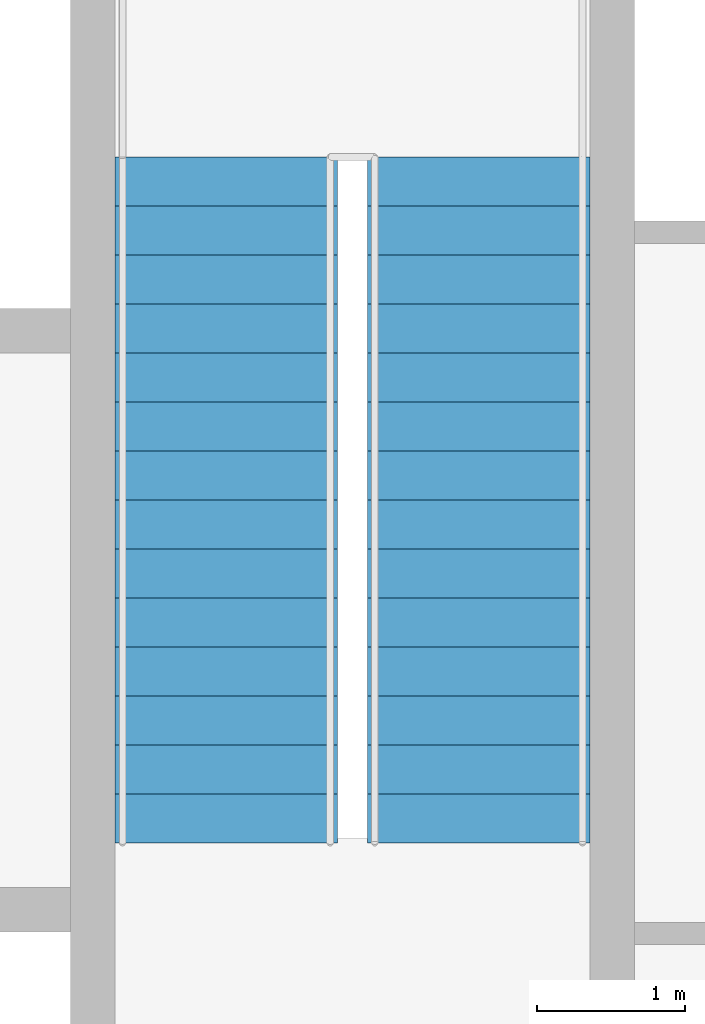
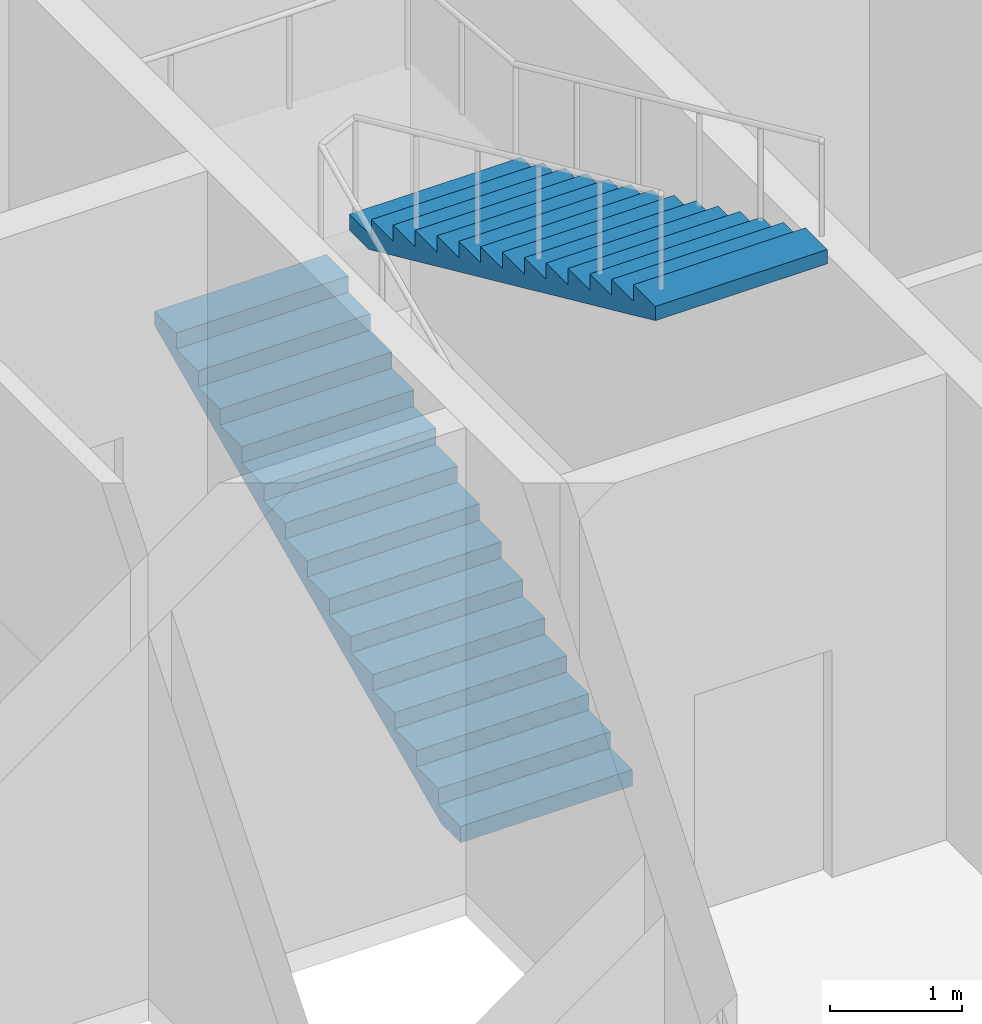
# One storey, part 10 of 11: 2 stair flights, 1 element without a shape of its own.
"""IFC4 building model written with IfcOpenShell, lengths in metres."""

from ifc_helpers import new_model, si_unit, direction, frame, origin, place, context, subcontext, project, spatial, polygons, material, type_object, element, aggregate, save


model = new_model("IFC4")

# Units and contexts
model_context = context("Model", 3, precision=1e-05, world=origin(), true_north=direction((0.0, 1.0)))
body_context = subcontext(model_context, "Body", "Model", "MODEL_VIEW")
ifc_project = project(units=[si_unit("LENGTHUNIT", "METRE"), si_unit("AREAUNIT", "SQUARE_METRE"), si_unit("VOLUMEUNIT", "CUBIC_METRE"), si_unit("PLANEANGLEUNIT", "RADIAN"), si_unit("MASSUNIT", "GRAM", prefix="KILO")], contexts=[model_context])

# Site, building, storey
site_placement = place(None, origin())
site = spatial("IfcSite", under=ifc_project, at=site_placement, CompositionType="ELEMENT")
building_placement = place(site_placement, origin())
building = spatial("IfcBuilding", under=site, at=building_placement, Name="Njiva Tower", CompositionType="ELEMENT")
storey_placement = place(building_placement, frame((0.0, 0.0, 42.3)))
storey = spatial("IfcBuildingStorey", under=building, at=storey_placement, Name="L08", CompositionType="ELEMENT", Elevation=42.3)

# Stair, stair flights
ifc_material = material(Name="Concrete C40/50", Category="concrete")
stair_type = type_object("IfcStairType", Name="ST4 Exit stair 1500", PredefinedType="HALF_TURN_STAIR", material=ifc_material)
stair_placement = place(storey_placement, origin())
stair = element("IfcStair", 1, at=stair_placement, inside=storey, type_object=stair_type, Name="Stair B", PredefinedType="HALF_TURN_STAIR")
stair_flight_type = type_object("IfcStairFlightType", Name="FL4 Stair flight 1500", PredefinedType="STRAIGHT", material=ifc_material)
stair_flight_1_placement = place(storey_placement, frame((11.75, 11.1, 0.0), z_axis=(0.0, 0.0, 1.0), x_axis=(0.0, 1.0, 0.0)))
stair_flight_1 = element("IfcStairFlight", 2, at=stair_flight_1_placement, type_object=stair_flight_type, Name="ST-B flight 1", NumberOfRisers=15, NumberOfTreads=14, PredefinedType="STRAIGHT", RiserHeight=0.15, TreadLength=0.33, context=body_context, shape_type="Tessellation", body=[
    polygons([(0.0, 0.75, 0.0), (0.0, 0.375, 0.0), (0.0, 0.0, 0.0), (0.0, -0.375, 0.0), (0.0, -0.75, 0.0), (0.0, 0.75, 0.15), (0.0, 0.375, 0.15), (0.0, 0.0, 0.15), (0.0, -0.375, 0.15), (0.0, -0.75, 0.15), (0.33, 0.75, 0.15), (0.33, 0.375, 0.15), (0.33, 0.0, 0.15), (0.33, -0.375, 0.15), (0.33, -0.75, 0.15), (0.33, 0.75, 0.3), (0.33, 0.375, 0.3), (0.33, 0.0, 0.3), (0.33, -0.375, 0.3), (0.33, -0.75, 0.3), (0.66, 0.75, 0.3), (0.66, 0.375, 0.3), (0.66, 0.0, 0.3), (0.66, -0.375, 0.3), (0.66, -0.75, 0.3), (0.66, 0.75, 0.45), (0.66, 0.375, 0.45), (0.66, 0.0, 0.45), (0.66, -0.375, 0.45), (0.66, -0.75, 0.45), (0.99, 0.75, 0.45), (0.99, 0.375, 0.45), (0.99, 0.0, 0.45), (0.99, -0.375, 0.45), (0.99, -0.75, 0.45), (0.99, 0.75, 0.6), (0.99, 0.375, 0.6), (0.99, 0.0, 0.6), (0.99, -0.375, 0.6), (0.99, -0.75, 0.6), (1.32, 0.75, 0.6), (1.32, 0.375, 0.6), (1.32, 0.0, 0.6), (1.32, -0.375, 0.6), (1.32, -0.75, 0.6), (1.32, 0.75, 0.75), (1.32, 0.375, 0.75), (1.32, 0.0, 0.75), (1.32, -0.375, 0.75), (1.32, -0.75, 0.75), (1.65, 0.75, 0.75), (1.65, 0.375, 0.75), (1.65, 0.0, 0.75), (1.65, -0.375, 0.75), (1.65, -0.75, 0.75), (1.65, 0.75, 0.9), (1.65, 0.375, 0.9), (1.65, 0.0, 0.9), (1.65, -0.375, 0.9), (1.65, -0.75, 0.9), (1.98, 0.75, 0.9), (1.98, 0.375, 0.9), (1.98, 0.0, 0.9), (1.98, -0.375, 0.9), (1.98, -0.75, 0.9), (1.98, 0.75, 1.05), (1.98, 0.375, 1.05), (1.98, 0.0, 1.05), (1.98, -0.375, 1.05), (1.98, -0.75, 1.05), (2.31, 0.75, 1.05), (2.31, 0.375, 1.05), (2.31, 0.0, 1.05), (2.31, -0.375, 1.05), (2.31, -0.75, 1.05), (2.31, 0.75, 1.2), (2.31, 0.375, 1.2), (2.31, 0.0, 1.2), (2.31, -0.375, 1.2), (2.31, -0.75, 1.2), (2.64, 0.75, 1.2), (2.64, 0.375, 1.2), (2.64, 0.0, 1.2), (2.64, -0.375, 1.2), (2.64, -0.75, 1.2), (2.64, 0.75, 1.35), (2.64, 0.375, 1.35), (2.64, 0.0, 1.35), (2.64, -0.375, 1.35), (2.64, -0.75, 1.35), (2.97, 0.75, 1.35), (2.97, 0.375, 1.35), (2.97, 0.0, 1.35), (2.97, -0.375, 1.35), (2.97, -0.75, 1.35), (2.97, 0.75, 1.5), (2.97, 0.375, 1.5), (2.97, 0.0, 1.5), (2.97, -0.375, 1.5), (2.97, -0.75, 1.5), (3.3, 0.75, 1.5), (3.3, 0.375, 1.5), (3.3, 0.0, 1.5), (3.3, -0.375, 1.5), (3.3, -0.75, 1.5), (3.3, 0.75, 1.65), (3.3, 0.375, 1.65), (3.3, 0.0, 1.65), (3.3, -0.375, 1.65), (3.3, -0.75, 1.65), (3.63, 0.75, 1.65), (3.63, 0.375, 1.65), (3.63, 0.0, 1.65), (3.63, -0.375, 1.65), (3.63, -0.75, 1.65), (3.63, 0.75, 1.8), (3.63, 0.375, 1.8), (3.63, 0.0, 1.8), (3.63, -0.375, 1.8), (3.63, -0.75, 1.8), (3.96, 0.75, 1.8), (3.96, 0.375, 1.8), (3.96, 0.0, 1.8), (3.96, -0.375, 1.8), (3.96, -0.75, 1.8), (3.96, 0.75, 1.95), (3.96, 0.375, 1.95), (3.96, 0.0, 1.95), (3.96, -0.375, 1.95), (3.96, -0.75, 1.95), (4.29, 0.75, 1.95), (4.29, 0.375, 1.95), (4.29, 0.0, 1.95), (4.29, -0.375, 1.95), (4.29, -0.75, 1.95), (4.29, 0.75, 2.1), (4.29, 0.375, 2.1), (4.29, 0.0, 2.1), (4.29, -0.375, 2.1), (4.29, -0.75, 2.1), (4.62, 0.75, 2.1), (4.62, 0.375, 2.1), (4.62, 0.0, 2.1), (4.62, -0.375, 2.1), (4.62, -0.75, 2.1), (4.62, 0.75, 1.9682), (4.62, 0.375, 1.9682), (4.62, 0.0, 1.9682), (4.62, -0.375, 1.9682), (4.62, -0.75, 1.9682), (0.29, 0.75, 0.0), (0.29, 0.375, 0.0), (0.29, 0.0, 0.0), (0.29, -0.375, 0.0), (0.29, -0.75, 0.0)], [[[1, 6, 11, 16, 21, 26, 31, 36, 41, 46, 51, 56, 61, 66, 71, 76, 81, 86, 91, 96, 101, 106, 111, 116, 121, 126, 131, 136, 141, 146, 151]], [[155, 150, 145, 140, 135, 130, 125, 120, 115, 110, 105, 100, 95, 90, 85, 80, 75, 70, 65, 60, 55, 50, 45, 40, 35, 30, 25, 20, 15, 10, 5]], [[6, 1, 2, 7]], [[7, 2, 3, 8]], [[8, 3, 4, 9]], [[9, 4, 5, 10]], [[11, 6, 7, 12]], [[12, 7, 8, 13]], [[13, 8, 9, 14]], [[14, 9, 10, 15]], [[16, 11, 12, 17]], [[17, 12, 13, 18]], [[18, 13, 14, 19]], [[19, 14, 15, 20]], [[21, 16, 17, 22]], [[22, 17, 18, 23]], [[23, 18, 19, 24]], [[24, 19, 20, 25]], [[26, 21, 22, 27]], [[27, 22, 23, 28]], [[28, 23, 24, 29]], [[29, 24, 25, 30]], [[31, 26, 27, 32]], [[32, 27, 28, 33]], [[33, 28, 29, 34]], [[34, 29, 30, 35]], [[36, 31, 32, 37]], [[37, 32, 33, 38]], [[38, 33, 34, 39]], [[39, 34, 35, 40]], [[41, 36, 37, 42]], [[42, 37, 38, 43]], [[43, 38, 39, 44]], [[44, 39, 40, 45]], [[46, 41, 42, 47]], [[47, 42, 43, 48]], [[48, 43, 44, 49]], [[49, 44, 45, 50]], [[51, 46, 47, 52]], [[52, 47, 48, 53]], [[53, 48, 49, 54]], [[54, 49, 50, 55]], [[56, 51, 52, 57]], [[57, 52, 53, 58]], [[58, 53, 54, 59]], [[59, 54, 55, 60]], [[61, 56, 57, 62]], [[62, 57, 58, 63]], [[63, 58, 59, 64]], [[64, 59, 60, 65]], [[66, 61, 62, 67]], [[67, 62, 63, 68]], [[68, 63, 64, 69]], [[69, 64, 65, 70]], [[71, 66, 67, 72]], [[72, 67, 68, 73]], [[73, 68, 69, 74]], [[74, 69, 70, 75]], [[76, 71, 72, 77]], [[77, 72, 73, 78]], [[78, 73, 74, 79]], [[79, 74, 75, 80]], [[81, 76, 77, 82]], [[82, 77, 78, 83]], [[83, 78, 79, 84]], [[84, 79, 80, 85]], [[86, 81, 82, 87]], [[87, 82, 83, 88]], [[88, 83, 84, 89]], [[89, 84, 85, 90]], [[91, 86, 87, 92]], [[92, 87, 88, 93]], [[93, 88, 89, 94]], [[94, 89, 90, 95]], [[96, 91, 92, 97]], [[97, 92, 93, 98]], [[98, 93, 94, 99]], [[99, 94, 95, 100]], [[101, 96, 97, 102]], [[102, 97, 98, 103]], [[103, 98, 99, 104]], [[104, 99, 100, 105]], [[106, 101, 102, 107]], [[107, 102, 103, 108]], [[108, 103, 104, 109]], [[109, 104, 105, 110]], [[111, 106, 107, 112]], [[112, 107, 108, 113]], [[113, 108, 109, 114]], [[114, 109, 110, 115]], [[116, 111, 112, 117]], [[117, 112, 113, 118]], [[118, 113, 114, 119]], [[119, 114, 115, 120]], [[121, 116, 117, 122]], [[122, 117, 118, 123]], [[123, 118, 119, 124]], [[124, 119, 120, 125]], [[126, 121, 122, 127]], [[127, 122, 123, 128]], [[128, 123, 124, 129]], [[129, 124, 125, 130]], [[131, 126, 127, 132]], [[132, 127, 128, 133]], [[133, 128, 129, 134]], [[134, 129, 130, 135]], [[136, 131, 132, 137]], [[137, 132, 133, 138]], [[138, 133, 134, 139]], [[139, 134, 135, 140]], [[141, 136, 137, 142]], [[142, 137, 138, 143]], [[143, 138, 139, 144]], [[144, 139, 140, 145]], [[146, 141, 142, 147]], [[147, 142, 143, 148]], [[148, 143, 144, 149]], [[149, 144, 145, 150]], [[151, 146, 147, 152]], [[152, 147, 148, 153]], [[153, 148, 149, 154]], [[154, 149, 150, 155]], [[1, 151, 152, 2]], [[2, 152, 153, 3]], [[3, 153, 154, 4]], [[4, 154, 155, 5]]], closed=True),
])
stair_flight_2_placement = place(storey_placement, frame((13.45, 15.72, 2.25), z_axis=(0.0, 0.0, 1.0), x_axis=(0.0, -1.0, 0.0)))
stair_flight_2 = element("IfcStairFlight", 3, at=stair_flight_2_placement, type_object=stair_flight_type, Name="ST-B flight 2", NumberOfRisers=15, NumberOfTreads=14, PredefinedType="STRAIGHT", RiserHeight=0.15, TreadLength=0.33, context=body_context, shape_type="Tessellation", body=[
    polygons([(0.0, 0.75, 0.0), (0.0, 0.375, 0.0), (0.0, 0.0, 0.0), (0.0, -0.375, 0.0), (0.0, -0.75, 0.0), (0.0, 0.75, 0.15), (0.0, 0.375, 0.15), (0.0, 0.0, 0.15), (0.0, -0.375, 0.15), (0.0, -0.75, 0.15), (0.33, 0.75, 0.15), (0.33, 0.375, 0.15), (0.33, 0.0, 0.15), (0.33, -0.375, 0.15), (0.33, -0.75, 0.15), (0.33, 0.75, 0.3), (0.33, 0.375, 0.3), (0.33, 0.0, 0.3), (0.33, -0.375, 0.3), (0.33, -0.75, 0.3), (0.66, 0.75, 0.3), (0.66, 0.375, 0.3), (0.66, 0.0, 0.3), (0.66, -0.375, 0.3), (0.66, -0.75, 0.3), (0.66, 0.75, 0.45), (0.66, 0.375, 0.45), (0.66, 0.0, 0.45), (0.66, -0.375, 0.45), (0.66, -0.75, 0.45), (0.99, 0.75, 0.45), (0.99, 0.375, 0.45), (0.99, 0.0, 0.45), (0.99, -0.375, 0.45), (0.99, -0.75, 0.45), (0.99, 0.75, 0.6), (0.99, 0.375, 0.6), (0.99, 0.0, 0.6), (0.99, -0.375, 0.6), (0.99, -0.75, 0.6), (1.32, 0.75, 0.6), (1.32, 0.375, 0.6), (1.32, 0.0, 0.6), (1.32, -0.375, 0.6), (1.32, -0.75, 0.6), (1.32, 0.75, 0.75), (1.32, 0.375, 0.75), (1.32, 0.0, 0.75), (1.32, -0.375, 0.75), (1.32, -0.75, 0.75), (1.65, 0.75, 0.75), (1.65, 0.375, 0.75), (1.65, 0.0, 0.75), (1.65, -0.375, 0.75), (1.65, -0.75, 0.75), (1.65, 0.75, 0.9), (1.65, 0.375, 0.9), (1.65, 0.0, 0.9), (1.65, -0.375, 0.9), (1.65, -0.75, 0.9), (1.98, 0.75, 0.9), (1.98, 0.375, 0.9), (1.98, 0.0, 0.9), (1.98, -0.375, 0.9), (1.98, -0.75, 0.9), (1.98, 0.75, 1.05), (1.98, 0.375, 1.05), (1.98, 0.0, 1.05), (1.98, -0.375, 1.05), (1.98, -0.75, 1.05), (2.31, 0.75, 1.05), (2.31, 0.375, 1.05), (2.31, 0.0, 1.05), (2.31, -0.375, 1.05), (2.31, -0.75, 1.05), (2.31, 0.75, 1.2), (2.31, 0.375, 1.2), (2.31, 0.0, 1.2), (2.31, -0.375, 1.2), (2.31, -0.75, 1.2), (2.64, 0.75, 1.2), (2.64, 0.375, 1.2), (2.64, 0.0, 1.2), (2.64, -0.375, 1.2), (2.64, -0.75, 1.2), (2.64, 0.75, 1.35), (2.64, 0.375, 1.35), (2.64, 0.0, 1.35), (2.64, -0.375, 1.35), (2.64, -0.75, 1.35), (2.97, 0.75, 1.35), (2.97, 0.375, 1.35), (2.97, 0.0, 1.35), (2.97, -0.375, 1.35), (2.97, -0.75, 1.35), (2.97, 0.75, 1.5), (2.97, 0.375, 1.5), (2.97, 0.0, 1.5), (2.97, -0.375, 1.5), (2.97, -0.75, 1.5), (3.3, 0.75, 1.5), (3.3, 0.375, 1.5), (3.3, 0.0, 1.5), (3.3, -0.375, 1.5), (3.3, -0.75, 1.5), (3.3, 0.75, 1.65), (3.3, 0.375, 1.65), (3.3, 0.0, 1.65), (3.3, -0.375, 1.65), (3.3, -0.75, 1.65), (3.63, 0.75, 1.65), (3.63, 0.375, 1.65), (3.63, 0.0, 1.65), (3.63, -0.375, 1.65), (3.63, -0.75, 1.65), (3.63, 0.75, 1.8), (3.63, 0.375, 1.8), (3.63, 0.0, 1.8), (3.63, -0.375, 1.8), (3.63, -0.75, 1.8), (3.96, 0.75, 1.8), (3.96, 0.375, 1.8), (3.96, 0.0, 1.8), (3.96, -0.375, 1.8), (3.96, -0.75, 1.8), (3.96, 0.75, 1.95), (3.96, 0.375, 1.95), (3.96, 0.0, 1.95), (3.96, -0.375, 1.95), (3.96, -0.75, 1.95), (4.29, 0.75, 1.95), (4.29, 0.375, 1.95), (4.29, 0.0, 1.95), (4.29, -0.375, 1.95), (4.29, -0.75, 1.95), (4.29, 0.75, 2.1), (4.29, 0.375, 2.1), (4.29, 0.0, 2.1), (4.29, -0.375, 2.1), (4.29, -0.75, 2.1), (4.62, 0.75, 2.1), (4.62, 0.375, 2.1), (4.62, 0.0, 2.1), (4.62, -0.375, 2.1), (4.62, -0.75, 2.1), (4.62, 0.75, 1.9682), (4.62, 0.375, 1.9682), (4.62, 0.0, 1.9682), (4.62, -0.375, 1.9682), (4.62, -0.75, 1.9682), (0.29, 0.75, 0.0), (0.29, 0.375, 0.0), (0.29, 0.0, 0.0), (0.29, -0.375, 0.0), (0.29, -0.75, 0.0)], [[[1, 6, 11, 16, 21, 26, 31, 36, 41, 46, 51, 56, 61, 66, 71, 76, 81, 86, 91, 96, 101, 106, 111, 116, 121, 126, 131, 136, 141, 146, 151]], [[155, 150, 145, 140, 135, 130, 125, 120, 115, 110, 105, 100, 95, 90, 85, 80, 75, 70, 65, 60, 55, 50, 45, 40, 35, 30, 25, 20, 15, 10, 5]], [[6, 1, 2, 7]], [[7, 2, 3, 8]], [[8, 3, 4, 9]], [[9, 4, 5, 10]], [[11, 6, 7, 12]], [[12, 7, 8, 13]], [[13, 8, 9, 14]], [[14, 9, 10, 15]], [[16, 11, 12, 17]], [[17, 12, 13, 18]], [[18, 13, 14, 19]], [[19, 14, 15, 20]], [[21, 16, 17, 22]], [[22, 17, 18, 23]], [[23, 18, 19, 24]], [[24, 19, 20, 25]], [[26, 21, 22, 27]], [[27, 22, 23, 28]], [[28, 23, 24, 29]], [[29, 24, 25, 30]], [[31, 26, 27, 32]], [[32, 27, 28, 33]], [[33, 28, 29, 34]], [[34, 29, 30, 35]], [[36, 31, 32, 37]], [[37, 32, 33, 38]], [[38, 33, 34, 39]], [[39, 34, 35, 40]], [[41, 36, 37, 42]], [[42, 37, 38, 43]], [[43, 38, 39, 44]], [[44, 39, 40, 45]], [[46, 41, 42, 47]], [[47, 42, 43, 48]], [[48, 43, 44, 49]], [[49, 44, 45, 50]], [[51, 46, 47, 52]], [[52, 47, 48, 53]], [[53, 48, 49, 54]], [[54, 49, 50, 55]], [[56, 51, 52, 57]], [[57, 52, 53, 58]], [[58, 53, 54, 59]], [[59, 54, 55, 60]], [[61, 56, 57, 62]], [[62, 57, 58, 63]], [[63, 58, 59, 64]], [[64, 59, 60, 65]], [[66, 61, 62, 67]], [[67, 62, 63, 68]], [[68, 63, 64, 69]], [[69, 64, 65, 70]], [[71, 66, 67, 72]], [[72, 67, 68, 73]], [[73, 68, 69, 74]], [[74, 69, 70, 75]], [[76, 71, 72, 77]], [[77, 72, 73, 78]], [[78, 73, 74, 79]], [[79, 74, 75, 80]], [[81, 76, 77, 82]], [[82, 77, 78, 83]], [[83, 78, 79, 84]], [[84, 79, 80, 85]], [[86, 81, 82, 87]], [[87, 82, 83, 88]], [[88, 83, 84, 89]], [[89, 84, 85, 90]], [[91, 86, 87, 92]], [[92, 87, 88, 93]], [[93, 88, 89, 94]], [[94, 89, 90, 95]], [[96, 91, 92, 97]], [[97, 92, 93, 98]], [[98, 93, 94, 99]], [[99, 94, 95, 100]], [[101, 96, 97, 102]], [[102, 97, 98, 103]], [[103, 98, 99, 104]], [[104, 99, 100, 105]], [[106, 101, 102, 107]], [[107, 102, 103, 108]], [[108, 103, 104, 109]], [[109, 104, 105, 110]], [[111, 106, 107, 112]], [[112, 107, 108, 113]], [[113, 108, 109, 114]], [[114, 109, 110, 115]], [[116, 111, 112, 117]], [[117, 112, 113, 118]], [[118, 113, 114, 119]], [[119, 114, 115, 120]], [[121, 116, 117, 122]], [[122, 117, 118, 123]], [[123, 118, 119, 124]], [[124, 119, 120, 125]], [[126, 121, 122, 127]], [[127, 122, 123, 128]], [[128, 123, 124, 129]], [[129, 124, 125, 130]], [[131, 126, 127, 132]], [[132, 127, 128, 133]], [[133, 128, 129, 134]], [[134, 129, 130, 135]], [[136, 131, 132, 137]], [[137, 132, 133, 138]], [[138, 133, 134, 139]], [[139, 134, 135, 140]], [[141, 136, 137, 142]], [[142, 137, 138, 143]], [[143, 138, 139, 144]], [[144, 139, 140, 145]], [[146, 141, 142, 147]], [[147, 142, 143, 148]], [[148, 143, 144, 149]], [[149, 144, 145, 150]], [[151, 146, 147, 152]], [[152, 147, 148, 153]], [[153, 148, 149, 154]], [[154, 149, 150, 155]], [[1, 151, 152, 2]], [[2, 152, 153, 3]], [[3, 153, 154, 4]], [[4, 154, 155, 5]]], closed=True),
])
aggregate(stair, [stair_flight_1, stair_flight_2])

save(model, "model.ifc")
